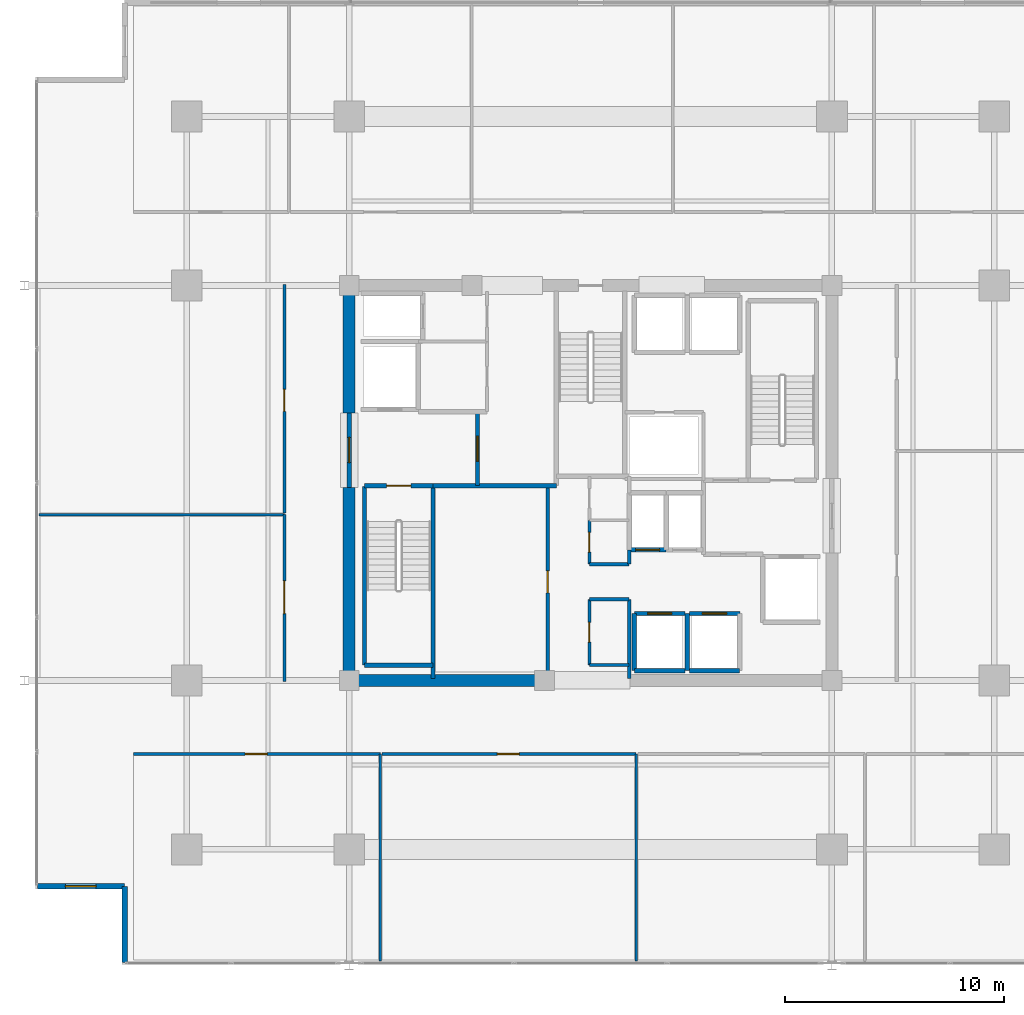
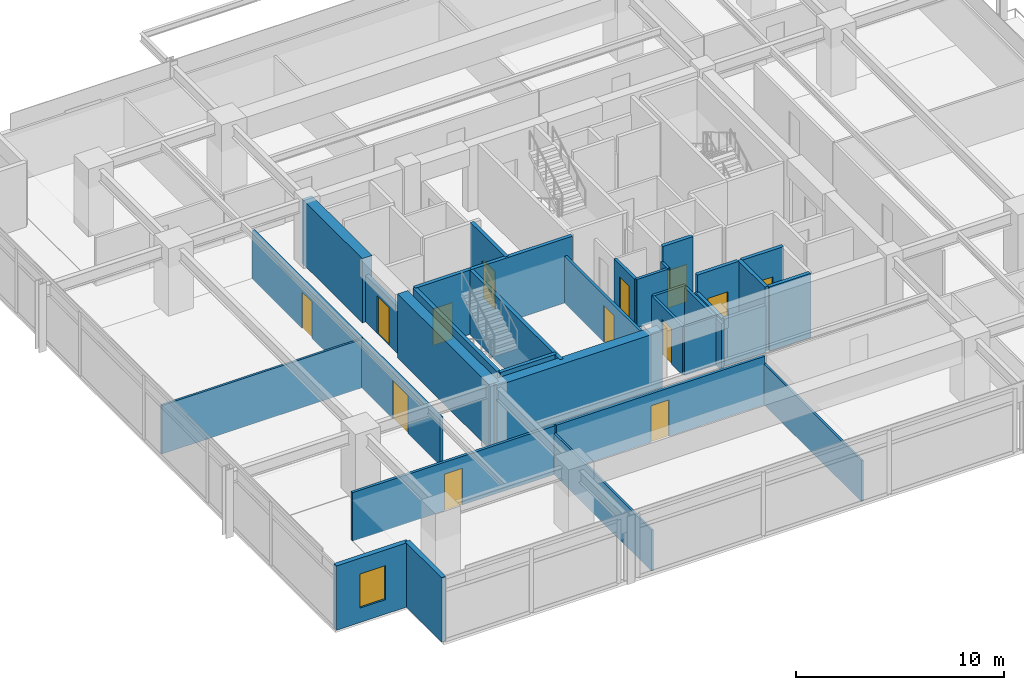
# One storey, part 13 of 20: 34 walls, 13 doors, 1 window, 14 openings.
"""IFC4 building model written with IfcOpenShell, lengths in metres."""

from ifc_helpers import new_model, si_unit, direction, frame, frame_2d, origin, place, context, subcontext, project, spatial, rectangle, extrude, material, layer, layer_set, type_object, element, fill, save


model = new_model("IFC4")

# Units and contexts
model_context = context("Model", 3, precision=1e-05, world=origin(), true_north=direction((0.0, 1.0)))
body_context = subcontext(model_context, "Body", "Model", "MODEL_VIEW")
ifc_project = project(units=[si_unit("LENGTHUNIT", "METRE"), si_unit("AREAUNIT", "SQUARE_METRE"), si_unit("VOLUMEUNIT", "CUBIC_METRE"), si_unit("PLANEANGLEUNIT", "RADIAN"), si_unit("MASSUNIT", "GRAM", prefix="KILO")], contexts=[model_context])

# Site, building, storey
site_placement = place(None, origin())
site = spatial("IfcSite", under=ifc_project, at=site_placement, CompositionType="ELEMENT")
building_placement = place(site_placement, origin())
building = spatial("IfcBuilding", under=site, at=building_placement, Name="Kovane Verandah Tower", CompositionType="ELEMENT")
storey_placement = place(building_placement, frame((0.0, 0.0, 213.199951171875)))
storey = spatial("IfcBuildingStorey", under=building, at=storey_placement, Name="L49", CompositionType="ELEMENT", Elevation=213.199951171875)

# Walls
ifc_material_1 = material(Name="Fire-Rated Gypsum Stud Partition", Category="gypsum")
ifc_layer_1 = layer(ifc_material_1, 0.14990234375)
ifc_layer_set_1 = layer_set([ifc_layer_1], Name="Fire-Rated Gypsum Stud Partition")
wall_type_1 = type_object("IfcWallType", Name="WL-COR-150", PredefinedType="PARTITIONING", material=ifc_layer_set_1)
for number, where, z_axis, x_axis, name in (
    (1, (39.949951171875, 19.199951171875, 0.0), (0.0, 0.0, 1.0), (1.0, 0.0, 0.0), "L49 Central Core Strip South Wall"),
    (2, (39.949951171875, 22.199951171875, 0.0), (0.0, 0.0, 1.0), (1.0, 0.0, 0.0), "L49 Core Cross-Passage South Wall"),
    (3, (39.949951171875, 23.800048828125, 0.0), (0.0, 0.0, 1.0), (1.0, 0.0, 0.0), "L49 Core Cross-Passage North Wall"),
):
    element("IfcWall", number, at=place(storey_placement, frame(where, z_axis=z_axis, x_axis=x_axis)), inside=storey, type_object=wall_type_1, Name=name, PredefinedType="PARTITIONING", context=body_context, shape_type="SweptSolid", body=[
        extrude(rectangle(XDim=1.81005859375, YDim=0.14990234375, at=frame_2d((0.905029296875, 0.0))), origin(), (0.0, 0.0, 1.0), 2.85009765625),
    ])
wall_1_placement = place(storey_placement, frame((41.760009765625, 18.60009765625, 0.0), z_axis=(0.0, 0.0, 1.0), x_axis=(0.0, 1.0, 0.0)))
element("IfcWall", 4, at=wall_1_placement, inside=storey, type_object=wall_type_1, Name="L49 Central Core Strip Lower East Wall", PredefinedType="PARTITIONING", context=body_context, shape_type="SweptSolid", body=[
    extrude(rectangle(XDim=3.599853515625, YDim=0.14990234375, at=frame_2d((1.7998046875, 0.0))), origin(), (0.0, 0.0, 1.0), 2.755126953125),
])
wall_2_placement = place(storey_placement, frame((41.760009765625, 23.800048828125, 0.0), z_axis=(0.0, 0.0, 1.0), x_axis=(0.0, 1.0, 0.0)))
element("IfcWall", 5, at=wall_2_placement, inside=storey, type_object=wall_type_1, Name="L49 Central Core Strip Middle East Wall", PredefinedType="PARTITIONING", context=body_context, shape_type="SweptSolid", body=[
    extrude(rectangle(XDim=0.64990234375, YDim=0.14990234375, at=frame_2d((0.324951171875, 0.0))), origin(), (0.0, 0.0, 1.0), 2.85009765625),
])

# Wall, opening, door
wall_3_placement = place(storey_placement, frame((39.949951171875, 19.199951171875, 0.0), z_axis=(0.0, 0.0, 1.0), x_axis=(0.0, 1.0, 0.0)))
wall_3 = element("IfcWall", 6, at=wall_3_placement, inside=storey, type_object=wall_type_1, Name="L49 Male Toilet Partition", PredefinedType="PARTITIONING", context=body_context, shape_type="SweptSolid", body=[
    extrude(rectangle(XDim=3.0, YDim=0.14990234375, at=frame_2d((1.5, 0.0))), origin(), (0.0, 0.0, 1.0), 2.85009765625),
])
opening_1_placement = place(wall_3_placement, frame((1.050048828125, 0.0, 0.0)))
opening_1 = element("IfcOpeningElement", 7, at=opening_1_placement, cuts=wall_3, Name="Opening DR-L49-028", PredefinedType="OPENING", context=body_context, shape_type="SweptSolid", body=[
    extrude(rectangle(XDim=0.89990234375, YDim=2.10009765625, at=frame_2d((0.449951171875, 1.050048828125))), frame((0.0, 0.074951171875, 0.0), z_axis=(0.0, -1.0, 0.0), x_axis=(1.0, 0.0, 0.0)), (0.0, 0.0, 1.0), 0.14990234375),
])
ifc_material_2 = material(Name="Moisture-Resistant Laminate Washroom Door", Category="wood")
door_type_1 = type_object("IfcDoorType", Name="DR-WC-900", OperationType="SINGLE_SWING_LEFT", PredefinedType="DOOR", material=ifc_material_2)
door_1_placement = place(opening_1_placement, origin())
door_1 = element("IfcDoor", 8, at=door_1_placement, inside=storey, type_object=door_type_1, Name="L49 Male Toilet Door", OperationType="SINGLE_SWING_RIGHT", OverallHeight=2.10009765625, OverallWidth=0.89990234375, PredefinedType="DOOR", context=body_context, shape_type="SweptSolid", body=[
    extrude(rectangle(XDim=0.89990234375, YDim=2.10009765625, at=frame_2d((0.449951171875, 1.050048828125))), frame((0.0, 0.02490234375, 0.0), z_axis=(0.0, -1.0, 0.0), x_axis=(1.0, 0.0, 0.0)), (0.0, 0.0, 1.0), 0.050048828125),
])
fill(opening_1, door_1)

wall_4_placement = place(storey_placement, frame((39.949951171875, 23.800048828125, 0.0), z_axis=(0.0, 0.0, 1.0), x_axis=(0.0, 1.0, 0.0)))
wall_4 = element("IfcWall", 9, at=wall_4_placement, inside=storey, type_object=wall_type_1, Name="L49 Female Toilet Partition", PredefinedType="PARTITIONING", context=body_context, shape_type="SweptSolid", body=[
    extrude(rectangle(XDim=2.0, YDim=0.14990234375, at=frame_2d((1.0, 0.0))), origin(), (0.0, 0.0, 1.0), 2.85009765625),
])
opening_2_placement = place(wall_4_placement, frame((0.550048828125, 0.0, 0.0)))
opening_2 = element("IfcOpeningElement", 10, at=opening_2_placement, cuts=wall_4, Name="Opening DR-L49-027", PredefinedType="OPENING", context=body_context, shape_type="SweptSolid", body=[
    extrude(rectangle(XDim=0.89990234375, YDim=2.10009765625, at=frame_2d((0.449951171875, 1.050048828125))), frame((0.0, 0.074951171875, 0.0), z_axis=(0.0, -1.0, 0.0), x_axis=(1.0, 0.0, 0.0)), (0.0, 0.0, 1.0), 0.14990234375),
])
door_2_placement = place(opening_2_placement, origin())
door_2 = element("IfcDoor", 11, at=door_2_placement, inside=storey, type_object=door_type_1, Name="L49 Female Toilet Door", OperationType="SINGLE_SWING_LEFT", OverallHeight=2.10009765625, OverallWidth=0.89990234375, PredefinedType="DOOR", context=body_context, shape_type="SweptSolid", body=[
    extrude(rectangle(XDim=0.89990234375, YDim=2.10009765625, at=frame_2d((0.449951171875, 1.050048828125))), frame((0.0, 0.02490234375, 0.0), z_axis=(0.0, -1.0, 0.0), x_axis=(1.0, 0.0, 0.0)), (0.0, 0.0, 1.0), 0.050048828125),
])
fill(opening_2, door_2)

wall_5_placement = place(storey_placement, frame((38.050048828125, 18.60009765625, 0.0), z_axis=(0.0, 0.0, 1.0), x_axis=(0.0, 1.0, 0.0)))
wall_5 = element("IfcWall", 12, at=wall_5_placement, inside=storey, type_object=wall_type_1, Name="L49 Tenant Wellness and Archive Suite Partition", PredefinedType="PARTITIONING", context=body_context, shape_type="SweptSolid", body=[
    extrude(rectangle(XDim=8.77978515625, YDim=0.14990234375, at=frame_2d((4.389892578125, 0.0))), origin(), (0.0, 0.0, 1.0), 2.755126953125),
])
opening_3_placement = place(wall_5_placement, frame((3.889892578125, 0.0, 0.0)))
opening_3 = element("IfcOpeningElement", 13, at=opening_3_placement, cuts=wall_5, Name="Opening DR-L49-014", PredefinedType="OPENING", context=body_context, shape_type="SweptSolid", body=[
    extrude(rectangle(XDim=1.0, YDim=2.14990234375, at=frame_2d((0.5, 1.074951171875))), frame((0.0, 0.074951171875, 0.0), z_axis=(0.0, -1.0, 0.0), x_axis=(1.0, 0.0, 0.0)), (0.0, 0.0, 1.0), 0.14990234375),
])
ifc_material_3 = material(Name="FSC Spotted-Gum Timber Fire-Rated Office Door", Category="wood")
door_type_2 = type_object("IfcDoorType", Name="DR-OFF-1000", OperationType="SINGLE_SWING_LEFT", PredefinedType="DOOR", material=ifc_material_3)
door_3_placement = place(opening_3_placement, origin())
door_3 = element("IfcDoor", 14, at=door_3_placement, inside=storey, type_object=door_type_2, Name="L49 Tenant Wellness and Archive Suite Door", OperationType="SINGLE_SWING_LEFT", OverallHeight=2.14990234375, OverallWidth=1.0, PredefinedType="DOOR", context=body_context, shape_type="SweptSolid", body=[
    extrude(rectangle(XDim=1.0, YDim=2.14990234375, at=frame_2d((0.5, 1.074951171875))), frame((0.0, 0.02490234375, 0.0), z_axis=(0.0, -1.0, 0.0), x_axis=(1.0, 0.0, 0.0)), (0.0, 0.0, 1.0), 0.050048828125),
])
fill(opening_3, door_3)

wall_6_placement = place(storey_placement, frame((19.168212890625, 15.14990234375, 0.0), z_axis=(0.0, 0.0, 1.0), x_axis=(1.0, 0.0, 0.0)))
wall_6 = element("IfcWall", 15, at=wall_6_placement, inside=storey, type_object=wall_type_1, Name="L49 Collaboration Hub S1 Corridor Partition", PredefinedType="PARTITIONING", context=body_context, shape_type="SweptSolid", body=[
    extrude(rectangle(XDim=11.249267578125, YDim=0.14990234375, at=frame_2d((5.62451171875, 0.0))), origin(), (0.0, 0.0, 1.0), 2.85009765625),
])
opening_4_placement = place(wall_6_placement, frame((5.089599609375, 0.0, 0.0)))
opening_4 = element("IfcOpeningElement", 16, at=opening_4_placement, cuts=wall_6, Name="Opening DR-L49-021", PredefinedType="OPENING", context=body_context, shape_type="SweptSolid", body=[
    extrude(rectangle(XDim=1.0, YDim=2.14990234375, at=frame_2d((0.5, 1.074951171875))), frame((0.0, 0.074951171875, 0.0), z_axis=(0.0, -1.0, 0.0), x_axis=(1.0, 0.0, 0.0)), (0.0, 0.0, 1.0), 0.14990234375),
])
door_4_placement = place(opening_4_placement, origin())
door_4 = element("IfcDoor", 17, at=door_4_placement, inside=storey, type_object=door_type_2, Name="L49 Collaboration Hub S1 Entrance Door", OperationType="SINGLE_SWING_RIGHT", OverallHeight=2.14990234375, OverallWidth=1.0, PredefinedType="DOOR", context=body_context, shape_type="SweptSolid", body=[
    extrude(rectangle(XDim=1.0, YDim=2.14990234375, at=frame_2d((0.5, 1.074951171875))), frame((0.0, 0.02490234375, 0.0), z_axis=(0.0, -1.0, 0.0), x_axis=(1.0, 0.0, 0.0)), (0.0, 0.0, 1.0), 0.050048828125),
])
fill(opening_4, door_4)

wall_7_placement = place(storey_placement, frame((30.4873046875, 15.14990234375, 0.0), z_axis=(0.0, 0.0, 1.0), x_axis=(1.0, 0.0, 0.0)))
wall_7 = element("IfcWall", 18, at=wall_7_placement, inside=storey, type_object=wall_type_1, Name="L49 Document and Print Room S2 Corridor Partition", PredefinedType="PARTITIONING", context=body_context, shape_type="SweptSolid", body=[
    extrude(rectangle(XDim=11.595947265625, YDim=0.14990234375, at=frame_2d((5.7978515625, 0.0))), origin(), (0.0, 0.0, 1.0), 2.85009765625),
])
opening_5_placement = place(wall_7_placement, frame((5.262939453125, 0.0, 0.0)))
opening_5 = element("IfcOpeningElement", 19, at=opening_5_placement, cuts=wall_7, Name="Opening DR-L49-022", PredefinedType="OPENING", context=body_context, shape_type="SweptSolid", body=[
    extrude(rectangle(XDim=1.0, YDim=2.14990234375, at=frame_2d((0.5, 1.074951171875))), frame((0.0, 0.074951171875, 0.0), z_axis=(0.0, -1.0, 0.0), x_axis=(1.0, 0.0, 0.0)), (0.0, 0.0, 1.0), 0.14990234375),
])
door_5_placement = place(opening_5_placement, origin())
door_5 = element("IfcDoor", 20, at=door_5_placement, inside=storey, type_object=door_type_2, Name="L49 Document and Print Room S2 Entrance Door", OperationType="SINGLE_SWING_LEFT", OverallHeight=2.14990234375, OverallWidth=1.0, PredefinedType="DOOR", context=body_context, shape_type="SweptSolid", body=[
    extrude(rectangle(XDim=1.0, YDim=2.14990234375, at=frame_2d((0.5, 1.074951171875))), frame((0.0, 0.02490234375, 0.0), z_axis=(0.0, -1.0, 0.0), x_axis=(1.0, 0.0, 0.0)), (0.0, 0.0, 1.0), 0.050048828125),
])
fill(opening_5, door_5)

wall_8_placement = place(storey_placement, frame((26.050048828125, 18.449951171875, 0.0), z_axis=(0.0, 0.0, 1.0), x_axis=(0.0, 1.0, 0.0)))
wall_8 = element("IfcWall", 21, at=wall_8_placement, inside=storey, type_object=wall_type_1, Name="L49 Client Boardroom W1 Corridor Partition", PredefinedType="PARTITIONING", context=body_context, shape_type="SweptSolid", body=[
    extrude(rectangle(XDim=7.60205078125, YDim=0.14990234375, at=frame_2d((3.801025390625, 0.0))), origin(), (0.0, 0.0, 1.0), 2.85009765625),
])
opening_6_placement = place(wall_8_placement, frame((3.091064453125, 0.0, 0.0)))
opening_6 = element("IfcOpeningElement", 22, at=opening_6_placement, cuts=wall_8, Name="Opening DR-L49-029", PredefinedType="OPENING", context=body_context, shape_type="SweptSolid", body=[
    extrude(rectangle(XDim=1.5, YDim=2.25, at=frame_2d((0.75, 1.125))), frame((0.0, 0.074951171875, 0.0), z_axis=(0.0, -1.0, 0.0), x_axis=(1.0, 0.0, 0.0)), (0.0, 0.0, 1.0), 0.14990234375),
])
ifc_material_4 = material(Name="Glazed Timber Fire-Rated Double Door", Category="wood")
door_type_3 = type_object("IfcDoorType", Name="DR-CONF-1500", OperationType="DOUBLE_DOOR_SINGLE_SWING", PredefinedType="DOOR", material=ifc_material_4)
door_6_placement = place(opening_6_placement, origin())
door_6 = element("IfcDoor", 23, at=door_6_placement, inside=storey, type_object=door_type_3, Name="L49 Client Boardroom W1 Entrance Door", OperationType="DOUBLE_DOOR_SINGLE_SWING", OverallHeight=2.25, OverallWidth=1.5, PredefinedType="DOOR", context=body_context, shape_type="SweptSolid", body=[
    extrude(rectangle(XDim=1.5, YDim=2.25, at=frame_2d((0.75, 1.125))), frame((0.0, 0.02490234375, 0.0), z_axis=(0.0, -1.0, 0.0), x_axis=(1.0, 0.0, 0.0)), (0.0, 0.0, 1.0), 0.050048828125),
])
fill(opening_6, door_6)

wall_9_placement = place(storey_placement, frame((26.050048828125, 26.1220703125, 0.0), z_axis=(0.0, 0.0, 1.0), x_axis=(0.0, 1.0, 0.0)))
wall_9 = element("IfcWall", 24, at=wall_9_placement, inside=storey, type_object=wall_type_1, Name="L49 Meeting Room W2 Corridor Partition", PredefinedType="PARTITIONING", context=body_context, shape_type="SweptSolid", body=[
    extrude(rectangle(XDim=10.427978515625, YDim=0.14990234375, at=frame_2d((5.2138671875, 0.0))), origin(), (0.0, 0.0, 1.0), 2.85009765625),
])
opening_7_placement = place(wall_9_placement, frame((4.638916015625, 0.0, 0.0)))
opening_7 = element("IfcOpeningElement", 25, at=opening_7_placement, cuts=wall_9, Name="Opening DR-L49-030", PredefinedType="OPENING", context=body_context, shape_type="SweptSolid", body=[
    extrude(rectangle(XDim=1.0, YDim=2.14990234375, at=frame_2d((0.5, 1.074951171875))), frame((0.0, 0.074951171875, 0.0), z_axis=(0.0, -1.0, 0.0), x_axis=(1.0, 0.0, 0.0)), (0.0, 0.0, 1.0), 0.14990234375),
])
door_7_placement = place(opening_7_placement, origin())
door_7 = element("IfcDoor", 26, at=door_7_placement, inside=storey, type_object=door_type_2, Name="L49 Meeting Room W2 Entrance Door", OperationType="SINGLE_SWING_LEFT", OverallHeight=2.14990234375, OverallWidth=1.0, PredefinedType="DOOR", context=body_context, shape_type="SweptSolid", body=[
    extrude(rectangle(XDim=1.0, YDim=2.14990234375, at=frame_2d((0.5, 1.074951171875))), frame((0.0, 0.02490234375, 0.0), z_axis=(0.0, -1.0, 0.0), x_axis=(1.0, 0.0, 0.0)), (0.0, 0.0, 1.0), 0.050048828125),
])
fill(opening_7, door_7)

# Walls
ifc_material_5 = material(Name="Concrete C60/75", Category="concrete")
ifc_layer_2 = layer(ifc_material_5, 0.550048828125)
ifc_layer_set_2 = layer_set([ifc_layer_2], Name="Concrete C60/75")
wall_type_2 = type_object("IfcWallType", Name="WL-CORE-550", PredefinedType="SHEAR", material=ifc_layer_set_2)
wall_10_placement = place(storey_placement, frame((29.0, 18.5, 0.0), z_axis=(0.0, 0.0, 1.0), x_axis=(1.0, 0.0, 0.0)))
element("IfcWall", 27, at=wall_10_placement, inside=storey, type_object=wall_type_2, Name="L49 Core Shear Wall CS-1", PredefinedType="SHEAR", context=body_context, shape_type="SweptSolid", body=[
    extrude(rectangle(XDim=9.199951171875, YDim=0.550048828125, at=frame_2d((4.60009765625, 0.0))), origin(), (0.0, 0.0, 1.0), 3.775146484375),
])
wall_11_placement = place(storey_placement, frame((29.0, 18.5, 0.0), z_axis=(0.0, 0.0, 1.0), x_axis=(0.0, 1.0, 0.0)))
element("IfcWall", 28, at=wall_11_placement, inside=storey, type_object=wall_type_2, Name="L49 Core Shear Wall CW-1", PredefinedType="SHEAR", context=body_context, shape_type="SweptSolid", body=[
    extrude(rectangle(XDim=8.800048828125, YDim=0.550048828125, at=frame_2d((4.39990234375, 0.0))), origin(), (0.0, 0.0, 1.0), 3.775146484375),
])
wall_12_placement = place(storey_placement, frame((29.0, 30.699951171875, 0.0), z_axis=(0.0, 0.0, 1.0), x_axis=(0.0, 1.0, 0.0)))
element("IfcWall", 29, at=wall_12_placement, inside=storey, type_object=wall_type_2, Name="L49 Core Shear Wall CW-2", PredefinedType="SHEAR", context=body_context, shape_type="SweptSolid", body=[
    extrude(rectangle(XDim=5.800048828125, YDim=0.550048828125, at=frame_2d((2.89990234375, 0.0))), origin(), (0.0, 0.0, 1.0), 3.775146484375),
])

# Wall, opening, door
ifc_material_6 = material(Name="Concrete C45/55 Fire Wall", Category="concrete")
ifc_layer_3 = layer(ifc_material_6, 0.199951171875)
ifc_layer_set_3 = layer_set([ifc_layer_3], Name="Concrete C45/55 Fire Wall")
wall_type_3 = type_object("IfcWallType", Name="WL-FFL-200", PredefinedType="PARTITIONING", material=ifc_layer_set_3)
wall_13_placement = place(storey_placement, frame((34.85009765625, 27.3798828125, 0.0), z_axis=(0.0, 0.0, 1.0), x_axis=(0.0, 1.0, 0.0)))
wall_13 = element("IfcWall", 30, at=wall_13_placement, inside=storey, type_object=wall_type_3, Name="W-L49-FFLW-E", PredefinedType="PARTITIONING", context=body_context, shape_type="SweptSolid", body=[
    extrude(rectangle(XDim=3.3701171875, YDim=0.199951171875, at=frame_2d((1.68505859375, 0.0))), origin(), (0.0, 0.0, 1.0), 3.775146484375),
])
opening_8_placement = place(wall_13_placement, frame((1.110107421875, 0.0, 0.0)))
opening_8 = element("IfcOpeningElement", 31, at=opening_8_placement, cuts=wall_13, Name="Opening DR-L49-006", PredefinedType="OPENING", context=body_context, shape_type="SweptSolid", body=[
    extrude(rectangle(XDim=1.14990234375, YDim=2.199951171875, at=frame_2d((0.574951171875, 1.10009765625))), frame((0.0, 0.10009765625, 0.0), z_axis=(0.0, -1.0, 0.0), x_axis=(1.0, 0.0, 0.0)), (0.0, 0.0, 1.0), 0.199951171875),
])
ifc_material_7 = material(Name="Smoke-Sealed Firefighting Lobby Door", Category="steel")
door_type_4 = type_object("IfcDoorType", Name="DR-FFL-1150", OperationType="SINGLE_SWING_LEFT", PredefinedType="DOOR", material=ifc_material_7)
door_8_placement = place(opening_8_placement, origin())
door_8 = element("IfcDoor", 32, at=door_8_placement, inside=storey, type_object=door_type_4, Name="L49 West Firefighting Lobby Inner Door", OperationType="SINGLE_SWING_LEFT", OverallHeight=2.199951171875, OverallWidth=1.14990234375, PredefinedType="DOOR", context=body_context, shape_type="SweptSolid", body=[
    extrude(rectangle(XDim=1.14990234375, YDim=2.199951171875, at=frame_2d((0.574951171875, 1.10009765625))), frame((0.0, 0.02490234375, 0.0), z_axis=(0.0, -1.0, 0.0), x_axis=(1.0, 0.0, 0.0)), (0.0, 0.0, 1.0), 0.050048828125),
])
fill(opening_8, door_8)

wall_14_placement = place(storey_placement, frame((29.0, 27.300048828125, 0.0), z_axis=(0.0, 0.0, 1.0), x_axis=(0.0, 1.0, 0.0)))
wall_14 = element("IfcWall", 33, at=wall_14_placement, inside=storey, type_object=wall_type_3, Name="W-L49-FFLW-OUT", PredefinedType="PARTITIONING", context=body_context, shape_type="SweptSolid", body=[
    extrude(rectangle(XDim=3.39990234375, YDim=0.199951171875, at=frame_2d((1.699951171875, 0.0))), origin(), (0.0, 0.0, 1.0), 2.755126953125),
])
opening_9_placement = place(wall_14_placement, frame((1.125, 0.0, 0.0)))
opening_9 = element("IfcOpeningElement", 34, at=opening_9_placement, cuts=wall_14, Name="Opening DR-L49-007", PredefinedType="OPENING", context=body_context, shape_type="SweptSolid", body=[
    extrude(rectangle(XDim=1.14990234375, YDim=2.199951171875, at=frame_2d((0.574951171875, 1.10009765625))), frame((0.0, 0.10009765625, 0.0), z_axis=(0.0, -1.0, 0.0), x_axis=(1.0, 0.0, 0.0)), (0.0, 0.0, 1.0), 0.199951171875),
])
door_9_placement = place(opening_9_placement, origin())
door_9 = element("IfcDoor", 35, at=door_9_placement, inside=storey, type_object=door_type_4, Name="L49 West Firefighting Lobby Corridor Door", OperationType="SINGLE_SWING_RIGHT", OverallHeight=2.199951171875, OverallWidth=1.14990234375, PredefinedType="DOOR", context=body_context, shape_type="SweptSolid", body=[
    extrude(rectangle(XDim=1.14990234375, YDim=2.199951171875, at=frame_2d((0.574951171875, 1.10009765625))), frame((0.0, 0.02490234375, 0.0), z_axis=(0.0, -1.0, 0.0), x_axis=(1.0, 0.0, 0.0)), (0.0, 0.0, 1.0), 0.050048828125),
])
fill(opening_9, door_9)

# Walls
wall_15_placement = place(storey_placement, frame((32.820068359375, 27.3798828125, 0.0), z_axis=(0.0, 0.0, 1.0), x_axis=(1.0, 0.0, 0.0)))
element("IfcWall", 36, at=wall_15_placement, inside=storey, type_object=wall_type_3, Name="L49 West Firefighting Lobby South Fire Wall", PredefinedType="PARTITIONING", context=body_context, shape_type="SweptSolid", body=[
    extrude(rectangle(XDim=5.619873046875, YDim=0.199951171875, at=frame_2d((2.81005859375, 0.0))), origin(), (0.0, 0.0, 1.0), 3.775146484375),
])
ifc_material_8 = material(Name="Concrete C45/55 Lift Shaft Wall", Category="concrete")
ifc_layer_4 = layer(ifc_material_8, 0.199951171875)
ifc_layer_set_4 = layer_set([ifc_layer_4], Name="Concrete C45/55 Lift Shaft Wall")
wall_type_4 = type_object("IfcWallType", Name="WL-LIFT-200", PredefinedType="SOLIDWALL", material=ifc_layer_set_4)
wall_16_placement = place(storey_placement, frame((42.0, 18.949951171875, 0.0), z_axis=(0.0, 0.0, 1.0), x_axis=(1.0, 0.0, 0.0)))
element("IfcWall", 37, at=wall_16_placement, inside=storey, type_object=wall_type_4, Name="L49 Lift PL-M1 S Shaft Wall", PredefinedType="SOLIDWALL", context=body_context, shape_type="SweptSolid", body=[
    extrude(rectangle(XDim=2.300048828125, YDim=0.199951171875, at=frame_2d((1.14990234375, 0.0))), origin(), (0.0, 0.0, 1.0), 2.755126953125),
])

# Wall, opening, door
wall_17_placement = place(storey_placement, frame((44.300048828125, 21.550048828125, 0.0), z_axis=(0.0, 0.0, 1.0), x_axis=(-1.0, 0.0, 0.0)))
wall_17 = element("IfcWall", 38, at=wall_17_placement, inside=storey, type_object=wall_type_4, Name="L49 Lift PL-M1 N Shaft Wall", PredefinedType="SOLIDWALL", context=body_context, shape_type="SweptSolid", body=[
    extrude(rectangle(XDim=2.300048828125, YDim=0.199951171875, at=frame_2d((1.14990234375, 0.0))), origin(), (0.0, 0.0, 1.0), 3.775146484375),
])
opening_10_placement = place(wall_17_placement, frame((0.60009765625, 0.0, 0.0)))
opening_10 = element("IfcOpeningElement", 39, at=opening_10_placement, cuts=wall_17, Name="Opening LD-L49-004", PredefinedType="OPENING", context=body_context, shape_type="SweptSolid", body=[
    extrude(rectangle(XDim=1.10009765625, YDim=2.199951171875, at=frame_2d((0.550048828125, 1.10009765625))), frame((0.0, 0.10009765625, 0.0), z_axis=(0.0, -1.0, 0.0), x_axis=(1.0, 0.0, 0.0)), (0.0, 0.0, 1.0), 0.199951171875),
])
ifc_material_9 = material(Name="Brushed Stainless Steel Sliding Lift Landing Door", Category="steel")
door_type_5 = type_object("IfcDoorType", Name="DR-LIFT-1100", OperationType="SLIDING_TO_RIGHT", PredefinedType="DOOR", material=ifc_material_9)
door_10_placement = place(opening_10_placement, origin())
door_10 = element("IfcDoor", 40, at=door_10_placement, inside=storey, type_object=door_type_5, Name="L49 Lift PL-M1 Sliding Landing Door", OperationType="SLIDING_TO_RIGHT", OverallHeight=2.199951171875, OverallWidth=1.10009765625, PredefinedType="DOOR", context=body_context, shape_type="SweptSolid", body=[
    extrude(rectangle(XDim=1.10009765625, YDim=2.199951171875, at=frame_2d((0.550048828125, 1.10009765625))), frame((0.0, 0.02490234375, 0.0), z_axis=(0.0, -1.0, 0.0), x_axis=(1.0, 0.0, 0.0)), (0.0, 0.0, 1.0), 0.050048828125),
])
fill(opening_10, door_10)

# Walls
wall_18_placement = place(storey_placement, frame((42.0, 21.550048828125, 0.0), z_axis=(0.0, 0.0, 1.0), x_axis=(0.0, -1.0, 0.0)))
element("IfcWall", 41, at=wall_18_placement, inside=storey, type_object=wall_type_4, Name="L49 Lift PL-M1 W Shaft Wall", PredefinedType="SOLIDWALL", context=body_context, shape_type="SweptSolid", body=[
    extrude(rectangle(XDim=2.60009765625, YDim=0.199951171875, at=frame_2d((1.300048828125, 0.0))), origin(), (0.0, 0.0, 1.0), 2.755126953125),
])
wall_19_placement = place(storey_placement, frame((44.39990234375, 18.949951171875, 0.0), z_axis=(0.0, 0.0, 1.0), x_axis=(0.0, 1.0, 0.0)))
element("IfcWall", 42, at=wall_19_placement, inside=storey, type_object=wall_type_4, Name="L49 Lift PL-M1 and PL-M2 Shared Shaft Wall", PredefinedType="SOLIDWALL", context=body_context, shape_type="SweptSolid", body=[
    extrude(rectangle(XDim=2.60009765625, YDim=0.199951171875, at=frame_2d((1.300048828125, 0.0))), origin(), (0.0, 0.0, 1.0), 3.775146484375),
])
wall_20_placement = place(storey_placement, frame((44.5, 18.949951171875, 0.0), z_axis=(0.0, 0.0, 1.0), x_axis=(1.0, 0.0, 0.0)))
element("IfcWall", 43, at=wall_20_placement, inside=storey, type_object=wall_type_4, Name="L49 Lift PL-M2 S Shaft Wall", PredefinedType="SOLIDWALL", context=body_context, shape_type="SweptSolid", body=[
    extrude(rectangle(XDim=2.300048828125, YDim=0.199951171875, at=frame_2d((1.14990234375, 0.0))), origin(), (0.0, 0.0, 1.0), 3.775146484375),
])

# Wall, opening, door
wall_21_placement = place(storey_placement, frame((46.800048828125, 21.550048828125, 0.0), z_axis=(0.0, 0.0, 1.0), x_axis=(-1.0, 0.0, 0.0)))
wall_21 = element("IfcWall", 44, at=wall_21_placement, inside=storey, type_object=wall_type_4, Name="L49 Lift PL-M2 N Shaft Wall", PredefinedType="SOLIDWALL", context=body_context, shape_type="SweptSolid", body=[
    extrude(rectangle(XDim=2.300048828125, YDim=0.199951171875, at=frame_2d((1.14990234375, 0.0))), origin(), (0.0, 0.0, 1.0), 3.775146484375),
])
opening_11_placement = place(wall_21_placement, frame((0.60009765625, 0.0, 0.0)))
opening_11 = element("IfcOpeningElement", 45, at=opening_11_placement, cuts=wall_21, Name="Opening LD-L49-005", PredefinedType="OPENING", context=body_context, shape_type="SweptSolid", body=[
    extrude(rectangle(XDim=1.10009765625, YDim=2.199951171875, at=frame_2d((0.550048828125, 1.10009765625))), frame((0.0, 0.10009765625, 0.0), z_axis=(0.0, -1.0, 0.0), x_axis=(1.0, 0.0, 0.0)), (0.0, 0.0, 1.0), 0.199951171875),
])
door_11_placement = place(opening_11_placement, origin())
door_11 = element("IfcDoor", 46, at=door_11_placement, inside=storey, type_object=door_type_5, Name="L49 Lift PL-M2 Sliding Landing Door", OperationType="SLIDING_TO_RIGHT", OverallHeight=2.199951171875, OverallWidth=1.10009765625, PredefinedType="DOOR", context=body_context, shape_type="SweptSolid", body=[
    extrude(rectangle(XDim=1.10009765625, YDim=2.199951171875, at=frame_2d((0.550048828125, 1.10009765625))), frame((0.0, 0.02490234375, 0.0), z_axis=(0.0, -1.0, 0.0), x_axis=(1.0, 0.0, 0.0)), (0.0, 0.0, 1.0), 0.050048828125),
])
fill(opening_11, door_11)

wall_22_placement = place(storey_placement, frame((41.760009765625, 24.449951171875, 0.0), z_axis=(0.0, 0.0, 1.0), x_axis=(1.0, 0.0, 0.0)))
wall_22 = element("IfcWall", 47, at=wall_22_placement, inside=storey, type_object=wall_type_4, Name="L49 Lift PL-M3 S Shaft Wall", PredefinedType="SOLIDWALL", context=body_context, shape_type="SweptSolid", body=[
    extrude(rectangle(XDim=1.679931640625, YDim=0.199951171875, at=frame_2d((0.83984375, 0.0))), origin(), (0.0, 0.0, 1.0), 3.775146484375),
])
opening_12_placement = place(wall_22_placement, frame((0.2900390625, 0.0, 0.0)))
opening_12 = element("IfcOpeningElement", 48, at=opening_12_placement, cuts=wall_22, Name="Opening LD-L49-006", PredefinedType="OPENING", context=body_context, shape_type="SweptSolid", body=[
    extrude(rectangle(XDim=1.10009765625, YDim=2.199951171875, at=frame_2d((0.550048828125, 1.10009765625))), frame((0.0, 0.10009765625, 0.0), z_axis=(0.0, -1.0, 0.0), x_axis=(1.0, 0.0, 0.0)), (0.0, 0.0, 1.0), 0.199951171875),
])
door_12_placement = place(opening_12_placement, origin())
door_12 = element("IfcDoor", 49, at=door_12_placement, inside=storey, type_object=door_type_5, Name="L49 Lift PL-M3 Sliding Landing Door", OperationType="SLIDING_TO_RIGHT", OverallHeight=2.199951171875, OverallWidth=1.10009765625, PredefinedType="DOOR", context=body_context, shape_type="SweptSolid", body=[
    extrude(rectangle(XDim=1.10009765625, YDim=2.199951171875, at=frame_2d((0.550048828125, 1.10009765625))), frame((0.0, 0.02490234375, 0.0), z_axis=(0.0, -1.0, 0.0), x_axis=(1.0, 0.0, 0.0)), (0.0, 0.0, 1.0), 0.050048828125),
])
fill(opening_12, door_12)

# Walls
ifc_material_10 = material(Name="Acoustic Fire-Rated Gypsum Partition", Category="gypsum")
ifc_layer_5 = layer(ifc_material_10, 0.1201171875)
ifc_layer_set_5 = layer_set([ifc_layer_5], Name="Acoustic Fire-Rated Gypsum Partition")
wall_type_5 = type_object("IfcWallType", Name="WL-PART-120", PredefinedType="PARTITIONING", material=ifc_layer_set_5)
for number, where, z_axis, x_axis, name in (
    (50, (30.41748046875, 5.719482421875, 0.0), (0.0, 0.0, 1.0), (0.0, 1.0, 0.0), "L49 Collaboration Hub S1 Dividing Partition"),
    (51, (42.083251953125, 5.719482421875, 0.0), (0.0, 0.0, 1.0), (0.0, 1.0, 0.0), "L49 Document and Print Room S2 Dividing Partition"),
):
    element("IfcWall", number, at=place(storey_placement, frame(where, z_axis=z_axis, x_axis=x_axis)), inside=storey, type_object=wall_type_5, Name=name, PredefinedType="PARTITIONING", context=body_context, shape_type="SweptSolid", body=[
        extrude(rectangle(XDim=9.430419921875, YDim=0.1201171875, at=frame_2d((4.71533203125, 0.0))), origin(), (0.0, 0.0, 1.0), 2.405029296875),
    ])
wall_23_placement = place(storey_placement, frame((14.868408203125, 26.052001953125, 0.0), z_axis=(0.0, 0.0, 1.0), x_axis=(1.0, 0.0, 0.0)))
element("IfcWall", 52, at=wall_23_placement, inside=storey, type_object=wall_type_5, Name="L49 Client Boardroom W1 Dividing Partition", PredefinedType="PARTITIONING", context=body_context, shape_type="SweptSolid", body=[
    extrude(rectangle(XDim=11.181640625, YDim=0.1201171875, at=frame_2d((5.5908203125, 0.0))), origin(), (0.0, 0.0, 1.0), 2.85009765625),
])
ifc_material_11 = material(Name="Concrete C45/55", Category="concrete")
ifc_layer_6 = layer(ifc_material_11, 0.199951171875)
ifc_layer_set_6 = layer_set([ifc_layer_6], Name="Concrete C45/55")
wall_type_6 = type_object("IfcWallType", Name="WL-SHAFT-200", PredefinedType="SOLIDWALL", material=ifc_layer_set_6)
wall_24_placement = place(storey_placement, frame((29.699951171875, 19.199951171875, 0.0), z_axis=(0.0, 0.0, 1.0), x_axis=(0.0, 1.0, 0.0)))
element("IfcWall", 53, at=wall_24_placement, inside=storey, type_object=wall_type_6, Name="W-L49-ST01-W", PredefinedType="SOLIDWALL", context=body_context, shape_type="SweptSolid", body=[
    extrude(rectangle(XDim=8.150146484375, YDim=0.199951171875, at=frame_2d((4.0751953125, 0.0))), origin(), (0.0, 0.0, 1.0), 3.775146484375),
])
wall_25_placement = place(storey_placement, frame((29.699951171875, 19.199951171875, 0.0), z_axis=(0.0, 0.0, 1.0), x_axis=(1.0, 0.0, 0.0)))
element("IfcWall", 54, at=wall_25_placement, inside=storey, type_object=wall_type_6, Name="W-L49-ST01-S", PredefinedType="SOLIDWALL", context=body_context, shape_type="SweptSolid", body=[
    extrude(rectangle(XDim=3.1201171875, YDim=0.199951171875, at=frame_2d((1.56005859375, 0.0))), origin(), (0.0, 0.0, 1.0), 3.775146484375),
])
wall_26_placement = place(storey_placement, frame((32.820068359375, 18.60009765625, 0.0), z_axis=(0.0, 0.0, 1.0), x_axis=(0.0, 1.0, 0.0)))
element("IfcWall", 55, at=wall_26_placement, inside=storey, type_object=wall_type_6, Name="W-L49-ST01-E", PredefinedType="SOLIDWALL", context=body_context, shape_type="SweptSolid", body=[
    extrude(rectangle(XDim=8.77978515625, YDim=0.199951171875, at=frame_2d((4.389892578125, 0.0))), origin(), (0.0, 0.0, 1.0), 3.775146484375),
])

# Wall, opening, door
wall_27_placement = place(storey_placement, frame((29.699951171875, 27.3798828125, 0.0), z_axis=(0.0, 0.0, 1.0), x_axis=(1.0, 0.0, 0.0)))
wall_27 = element("IfcWall", 56, at=wall_27_placement, inside=storey, type_object=wall_type_6, Name="W-L49-ST01-N", PredefinedType="SOLIDWALL", context=body_context, shape_type="SweptSolid", body=[
    extrude(rectangle(XDim=3.1201171875, YDim=0.199951171875, at=frame_2d((1.56005859375, 0.0))), origin(), (0.0, 0.0, 1.0), 3.775146484375),
])
opening_13_placement = place(wall_27_placement, frame((1.010009765625, 0.0, 0.0)))
opening_13 = element("IfcOpeningElement", 57, at=opening_13_placement, cuts=wall_27, Name="Opening DR-L49-009", PredefinedType="OPENING", context=body_context, shape_type="SweptSolid", body=[
    extrude(rectangle(XDim=1.10009765625, YDim=2.14990234375, at=frame_2d((0.550048828125, 1.074951171875))), frame((0.0, 0.10009765625, 0.0), z_axis=(0.0, -1.0, 0.0), x_axis=(1.0, 0.0, 0.0)), (0.0, 0.0, 1.0), 0.199951171875),
])
ifc_material_12 = material(Name="Fire-Rated Steel Exit Door", Category="steel")
door_type_6 = type_object("IfcDoorType", Name="DR-STAIR-1100", OperationType="SINGLE_SWING_LEFT", PredefinedType="DOOR", material=ifc_material_12)
door_13_placement = place(opening_13_placement, origin())
door_13 = element("IfcDoor", 58, at=door_13_placement, inside=storey, type_object=door_type_6, Name="L49 ST-01 Fire Exit Stair Door", OperationType="SINGLE_SWING_LEFT", OverallHeight=2.14990234375, OverallWidth=1.10009765625, PredefinedType="DOOR", context=body_context, shape_type="SweptSolid", body=[
    extrude(rectangle(XDim=1.10009765625, YDim=2.14990234375, at=frame_2d((0.550048828125, 1.074951171875))), frame((0.0, 0.02490234375, 0.0), z_axis=(0.0, -1.0, 0.0), x_axis=(1.0, 0.0, 0.0)), (0.0, 0.0, 1.0), 0.050048828125),
])
fill(opening_13, door_13)

# Wall, opening, window
ifc_material_13 = material(Name="Concrete C45/55 Insulated Spandrel Wall", Category="concrete")
ifc_layer_7 = layer(ifc_material_13, 0.260009765625)
ifc_layer_set_7 = layer_set([ifc_layer_7], Name="Concrete C45/55 Insulated Spandrel Wall")
wall_type_7 = type_object("IfcWallType", Name="WL-SPANDREL-260", PredefinedType="PARAPET", material=ifc_layer_set_7)
wall_28_placement = place(storey_placement, frame((14.768310546875, 9.119384765625, 0.0), z_axis=(0.0, 0.0, 1.0), x_axis=(1.0, 0.0, 0.0)))
wall_28 = element("IfcWall", 59, at=wall_28_placement, inside=storey, type_object=wall_type_7, Name="L49 SW Notch Cheek Wall 1", PredefinedType="PARAPET", context=body_context, shape_type="SweptSolid", body=[
    extrude(rectangle(XDim=4.0, YDim=0.260009765625, at=frame_2d((2.0, 0.0))), origin(), (0.0, 0.0, 1.0), 3.775146484375),
])
opening_14_placement = place(wall_28_placement, frame((1.300048828125, 0.0, 0.85009765625)))
opening_14 = element("IfcOpeningElement", 60, at=opening_14_placement, cuts=wall_28, Name="Opening W-01", PredefinedType="OPENING", context=body_context, shape_type="SweptSolid", body=[
    extrude(rectangle(XDim=1.39990234375, YDim=2.0, at=frame_2d((0.699951171875, 1.0))), frame((0.0, 0.1298828125, 0.0), z_axis=(0.0, -1.0, 0.0), x_axis=(1.0, 0.0, 0.0)), (0.0, 0.0, 1.0), 0.260009765625),
])
ifc_material_14 = material(Name="Clear Low-E Laminated Double Glazing in Anodised Frame", Category="glass")
window_type = type_object("IfcWindowType", Name="WN-OPER-1400x2000", PartitioningType="SINGLE_PANEL", PredefinedType="WINDOW", material=ifc_material_14)
window_placement = place(opening_14_placement, origin())
window = element("IfcWindow", 61, at=window_placement, inside=storey, type_object=window_type, Name="L49 SW Re-Entrant Corner Operable Window", OverallHeight=2.0, OverallWidth=1.39990234375, PartitioningType="SINGLE_PANEL", PredefinedType="WINDOW", context=body_context, shape_type="SweptSolid", body=[
    extrude(rectangle(XDim=1.39990234375, YDim=2.0, at=frame_2d((0.699951171875, 1.0))), frame((0.0, 0.030029296875, 0.0), z_axis=(0.0, -1.0, 0.0), x_axis=(1.0, 0.0, 0.0)), (0.0, 0.0, 1.0), 0.06005859375),
])
fill(opening_14, window)

# Wall
wall_29_placement = place(storey_placement, frame((18.768310546875, 9.119384765625, 0.0), z_axis=(0.0, 0.0, 1.0), x_axis=(0.0, -1.0, 0.0)))
element("IfcWall", 62, at=wall_29_placement, inside=storey, type_object=wall_type_7, Name="L49 SW Notch Cheek Wall 2", PredefinedType="PARAPET", context=body_context, shape_type="SweptSolid", body=[
    extrude(rectangle(XDim=3.5, YDim=0.260009765625, at=frame_2d((1.75, 0.0))), origin(), (0.0, 0.0, 1.0), 3.775146484375),
])

save(model, "model.ifc")
